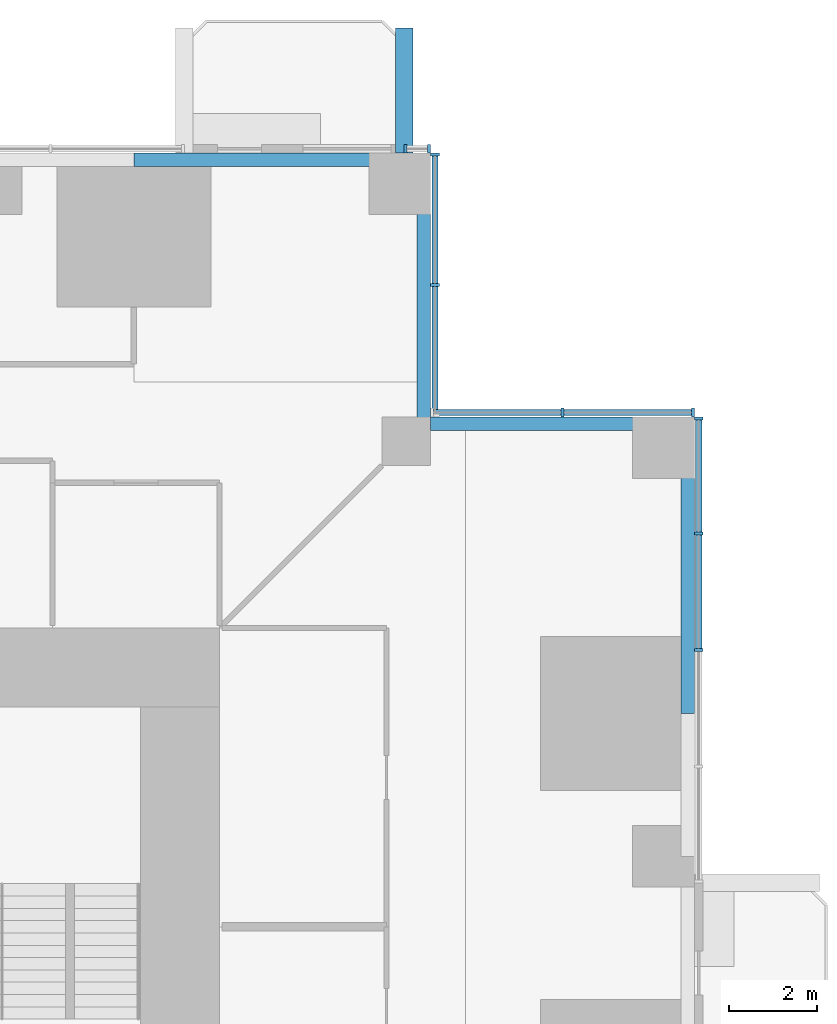
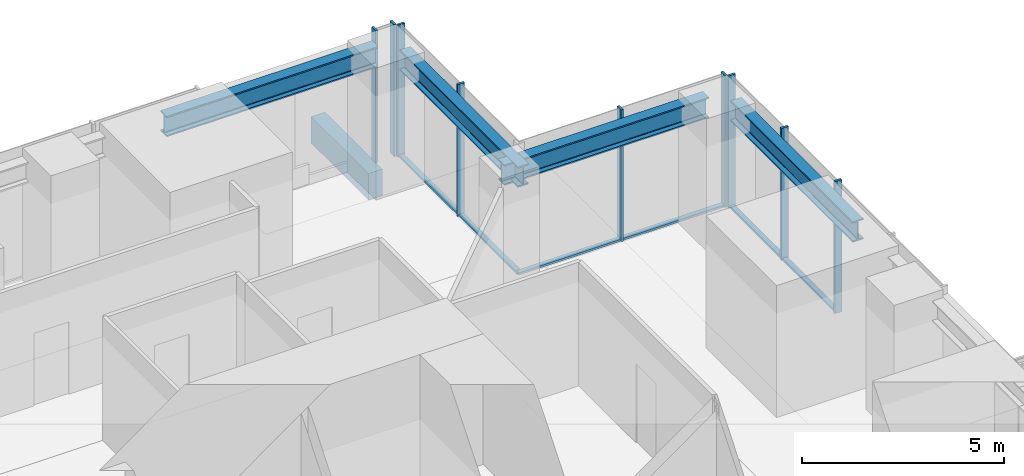
# One storey, part 6 of 17: 15 members, 5 beams, 4 elements without a shape of their own.
"""IFC4 building model written with IfcOpenShell, lengths in metres."""

from ifc_helpers import new_model, si_unit, direction, frame, origin, origin_2d, place, context, subcontext, project, spatial, rectangle, i_section, extrude, material, material_profile, profile_set, type_object, element, aggregate, save


model = new_model("IFC4")

# Units and contexts
model_context = context("Model", 3, precision=1e-05, world=origin(), true_north=direction((0.0, 1.0)))
body_context = subcontext(model_context, "Body", "Model", "MODEL_VIEW")
ifc_project = project(units=[si_unit("LENGTHUNIT", "METRE"), si_unit("AREAUNIT", "SQUARE_METRE"), si_unit("VOLUMEUNIT", "CUBIC_METRE"), si_unit("PLANEANGLEUNIT", "RADIAN"), si_unit("MASSUNIT", "GRAM", prefix="KILO")], contexts=[model_context])

# Site, building, storey
site_placement = place(None, origin())
site = spatial("IfcSite", under=ifc_project, at=site_placement, CompositionType="ELEMENT")
building_placement = place(site_placement, origin())
building = spatial("IfcBuilding", under=site, at=building_placement, Name="Svetlomir Tower", CompositionType="ELEMENT")
storey_placement = place(building_placement, frame((0.0, 0.0, 70.5)))
storey = spatial("IfcBuildingStorey", under=building, at=storey_placement, Name="L16", CompositionType="ELEMENT", Elevation=70.5)

# Beam
ifc_material_1 = material(Name="Concrete C60/75", Category="concrete")
ifc_material_profile_1 = material_profile(ifc_material_1, rectangle(XDim=0.39990234375, YDim=0.800048828125, at=origin_2d()), Name="RC 400x800")
ifc_profile_set_1 = profile_set([ifc_material_profile_1], Name="Concrete C60/75")
beam_type_1 = type_object("IfcBeamType", Name="BALCONY RIB RC 400x800", PredefinedType="BEAM", material=ifc_profile_set_1)
beam_placement = place(storey_placement, frame((35.39990234375, 42.0, -0.64990234375), z_axis=(0.0, 1.0, 0.0), x_axis=(-1.0, 0.0, 0.0)))
element("IfcBeam", 1, at=beam_placement, inside=storey, type_object=beam_type_1, Name="Balcony rib N 2 L16", PredefinedType="BEAM", context=body_context, shape_type="SweptSolid", body=[
    extrude(rectangle(XDim=0.39990234375, YDim=0.800048828125, at=origin_2d()), origin(), (0.0, 0.0, 1.0), 2.85009765625),
])

# Curtain wall, members
ifc_material_2 = material(Name="Bronze anodised aluminium curtain wall", Category="aluminium")
curtain_wall_type = type_object("IfcCurtainWallType", Name="CURTAIN WALL CW1 TOWER OFFICE", PredefinedType="NOTDEFINED", material=ifc_material_2)
curtain_wall_1_placement = place(storey_placement, origin())
curtain_wall_1 = element("IfcCurtainWall", 2, at=curtain_wall_1_placement, inside=storey, type_object=curtain_wall_type, Name="Curtain wall CW1 L16", PredefinedType="NOTDEFINED")
ifc_material_3 = material(Name="Bronze anodised aluminium", Category="aluminium")
ifc_material_profile_2 = material_profile(ifc_material_3, rectangle(XDim=0.06494140625, YDim=0.199951171875, at=origin_2d()), Name="AL 65x200")
ifc_profile_set_2 = profile_set([ifc_material_profile_2], Name="Bronze anodised aluminium 6063-T6")
member_type_1 = type_object("IfcMemberType", Name="CW1 MULLION 65x200", PredefinedType="MULLION", material=ifc_profile_set_2)
member_1_placement = place(storey_placement, frame((42.10009765625, 30.699951171875, 0.0), z_axis=(0.0, 0.0, 1.0), x_axis=(0.0, 1.0, 0.0)))
member_1 = element("IfcMember", 3, at=member_1_placement, type_object=member_type_1, Name="CW1 mullion 3", PredefinedType="MULLION", context=body_context, shape_type="SweptSolid", body=[
    extrude(rectangle(XDim=0.06494140625, YDim=0.199951171875, at=origin_2d()), origin(), (0.0, 0.0, 1.0), 4.0),
])
member_2_placement = place(storey_placement, frame((42.10009765625, 33.35009765625, 0.0), z_axis=(0.0, 0.0, 1.0), x_axis=(0.0, 1.0, 0.0)))
member_2 = element("IfcMember", 4, at=member_2_placement, type_object=member_type_1, Name="CW1 mullion 4", PredefinedType="MULLION", context=body_context, shape_type="SweptSolid", body=[
    extrude(rectangle(XDim=0.06494140625, YDim=0.199951171875, at=origin_2d()), origin(), (0.0, 0.0, 1.0), 4.0),
])
member_3_placement = place(storey_placement, frame((42.10009765625, 35.967529296875, 0.0), z_axis=(0.0, 0.0, 1.0), x_axis=(0.0, 1.0, 0.0)))
member_3 = element("IfcMember", 5, at=member_3_placement, type_object=member_type_1, Name="CW1 mullion 5", PredefinedType="MULLION", context=body_context, shape_type="SweptSolid", body=[
    extrude(rectangle(XDim=0.06494140625, YDim=0.199951171875, at=origin_2d()), origin(), (0.0, 0.0, 1.0), 4.0),
])

curtain_wall_2_placement = place(storey_placement, origin())
curtain_wall_2 = element("IfcCurtainWall", 6, at=curtain_wall_2_placement, inside=storey, type_object=curtain_wall_type, Name="Curtain wall CW1 L16", PredefinedType="NOTDEFINED")
member_4_placement = place(storey_placement, frame((41.967529296875, 36.10009765625, 0.0), z_axis=(0.0, 0.0, 1.0), x_axis=(-1.0, 0.0, 0.0)))
member_4 = element("IfcMember", 7, at=member_4_placement, type_object=member_type_1, Name="CW1 mullion 1", PredefinedType="MULLION", context=body_context, shape_type="SweptSolid", body=[
    extrude(rectangle(XDim=0.06494140625, YDim=0.199951171875, at=origin_2d()), origin(), (0.0, 0.0, 1.0), 4.0),
])
member_5_placement = place(storey_placement, frame((39.0, 36.10009765625, 0.0), z_axis=(0.0, 0.0, 1.0), x_axis=(-1.0, 0.0, 0.0)))
member_5 = element("IfcMember", 8, at=member_5_placement, type_object=member_type_1, Name="CW1 mullion 2", PredefinedType="MULLION", context=body_context, shape_type="SweptSolid", body=[
    extrude(rectangle(XDim=0.06494140625, YDim=0.199951171875, at=origin_2d()), origin(), (0.0, 0.0, 1.0), 4.0),
])

curtain_wall_3_placement = place(storey_placement, origin())
curtain_wall_3 = element("IfcCurtainWall", 9, at=curtain_wall_3_placement, inside=storey, type_object=curtain_wall_type, Name="Curtain wall CW1 L16", PredefinedType="NOTDEFINED")
member_6_placement = place(storey_placement, frame((36.10009765625, 39.0, 0.0), z_axis=(0.0, 0.0, 1.0), x_axis=(0.0, 1.0, 0.0)))
member_6 = element("IfcMember", 10, at=member_6_placement, type_object=member_type_1, Name="CW1 mullion 2", PredefinedType="MULLION", context=body_context, shape_type="SweptSolid", body=[
    extrude(rectangle(XDim=0.06494140625, YDim=0.199951171875, at=origin_2d()), origin(), (0.0, 0.0, 1.0), 4.0),
])
member_7_placement = place(storey_placement, frame((36.10009765625, 41.967529296875, 0.0), z_axis=(0.0, 0.0, 1.0), x_axis=(0.0, 1.0, 0.0)))
member_7 = element("IfcMember", 11, at=member_7_placement, type_object=member_type_1, Name="CW1 mullion 3", PredefinedType="MULLION", context=body_context, shape_type="SweptSolid", body=[
    extrude(rectangle(XDim=0.06494140625, YDim=0.199951171875, at=origin_2d()), origin(), (0.0, 0.0, 1.0), 4.0),
])

curtain_wall_4_placement = place(storey_placement, origin())
curtain_wall_4 = element("IfcCurtainWall", 12, at=curtain_wall_4_placement, inside=storey, type_object=curtain_wall_type, Name="Curtain wall CW1 L16", PredefinedType="NOTDEFINED")
member_8_placement = place(storey_placement, frame((35.967529296875, 42.10009765625, 0.0), z_axis=(0.0, 0.0, 1.0), x_axis=(-1.0, 0.0, 0.0)))
member_8 = element("IfcMember", 13, at=member_8_placement, type_object=member_type_1, Name="CW1 mullion 1", PredefinedType="MULLION", context=body_context, shape_type="SweptSolid", body=[
    extrude(rectangle(XDim=0.06494140625, YDim=0.199951171875, at=origin_2d()), origin(), (0.0, 0.0, 1.0), 4.0),
])
member_9_placement = place(storey_placement, frame((35.4326171875, 42.10009765625, 0.0), z_axis=(0.0, 0.0, 1.0), x_axis=(-1.0, 0.0, 0.0)))
member_9 = element("IfcMember", 14, at=member_9_placement, type_object=member_type_1, Name="CW1 mullion 2", PredefinedType="MULLION", context=body_context, shape_type="SweptSolid", body=[
    extrude(rectangle(XDim=0.06494140625, YDim=0.199951171875, at=origin_2d()), origin(), (0.0, 0.0, 1.0), 4.0),
])
aggregate(curtain_wall_4, [member_8, member_9])

# Member
ifc_material_4 = material(Name="Bronze anodised aluminium", Category="aluminium")
ifc_material_profile_3 = material_profile(ifc_material_4, rectangle(XDim=0.139892578125, YDim=0.06494140625, at=origin_2d()), Name="AL 140x65")
ifc_profile_set_3 = profile_set([ifc_material_profile_3], Name="Bronze anodised aluminium 6063-T6")
member_type_2 = type_object("IfcMemberType", Name="CW1 TRANSOM 65x140", PredefinedType="USERDEFINED", material=ifc_profile_set_3)
member_10_placement = place(storey_placement, frame((42.10009765625, 30.732421875, 0.032470703125), z_axis=(0.0, 1.0, 0.0), x_axis=(-1.0, 0.0, 0.0)))
member_10 = element("IfcMember", 15, at=member_10_placement, type_object=member_type_2, Name="CW1 transom 3.1", ObjectType="TRANSOM", PredefinedType="USERDEFINED", context=body_context, shape_type="SweptSolid", body=[
    extrude(rectangle(XDim=0.139892578125, YDim=0.06494140625, at=origin_2d()), origin(), (0.0, 0.0, 1.0), 2.5849609375),
])

member_11_placement = place(storey_placement, frame((42.10009765625, 33.382568359375, 0.032470703125), z_axis=(0.0, 1.0, 0.0), x_axis=(-1.0, 0.0, 0.0)))
member_11 = element("IfcMember", 16, at=member_11_placement, type_object=member_type_2, Name="CW1 transom 4.1", ObjectType="TRANSOM", PredefinedType="USERDEFINED", context=body_context, shape_type="SweptSolid", body=[
    extrude(rectangle(XDim=0.139892578125, YDim=0.06494140625, at=origin_2d()), origin(), (0.0, 0.0, 1.0), 2.552490234375),
])

aggregate(curtain_wall_1, [member_1, member_2, member_3, member_10, member_11])

member_12_placement = place(storey_placement, frame((41.93505859375, 36.10009765625, 0.032470703125), z_axis=(-1.0, 0.0, 0.0), x_axis=(0.0, -1.0, 0.0)))
member_12 = element("IfcMember", 17, at=member_12_placement, type_object=member_type_2, Name="CW1 transom 1.1", ObjectType="TRANSOM", PredefinedType="USERDEFINED", context=body_context, shape_type="SweptSolid", body=[
    extrude(rectangle(XDim=0.139892578125, YDim=0.06494140625, at=origin_2d()), origin(), (0.0, 0.0, 1.0), 2.902587890625),
])

member_13_placement = place(storey_placement, frame((38.967529296875, 36.10009765625, 0.032470703125), z_axis=(-1.0, 0.0, 0.0), x_axis=(0.0, -1.0, 0.0)))
member_13 = element("IfcMember", 18, at=member_13_placement, type_object=member_type_2, Name="CW1 transom 2.1", ObjectType="TRANSOM", PredefinedType="USERDEFINED", context=body_context, shape_type="SweptSolid", body=[
    extrude(rectangle(XDim=0.139892578125, YDim=0.06494140625, at=origin_2d()), origin(), (0.0, 0.0, 1.0), 2.902587890625),
])

aggregate(curtain_wall_2, [member_4, member_5, member_12, member_13])

member_14_placement = place(storey_placement, frame((36.10009765625, 36.06494140625, 0.032470703125), z_axis=(0.0, 1.0, 0.0), x_axis=(-1.0, 0.0, 0.0)))
member_14 = element("IfcMember", 19, at=member_14_placement, type_object=member_type_2, Name="CW1 transom 1.1", ObjectType="TRANSOM", PredefinedType="USERDEFINED", context=body_context, shape_type="SweptSolid", body=[
    extrude(rectangle(XDim=0.139892578125, YDim=0.06494140625, at=origin_2d()), origin(), (0.0, 0.0, 1.0), 2.902587890625),
])

member_15_placement = place(storey_placement, frame((36.10009765625, 39.032470703125, 0.032470703125), z_axis=(0.0, 1.0, 0.0), x_axis=(-1.0, 0.0, 0.0)))
member_15 = element("IfcMember", 20, at=member_15_placement, type_object=member_type_2, Name="CW1 transom 2.1", ObjectType="TRANSOM", PredefinedType="USERDEFINED", context=body_context, shape_type="SweptSolid", body=[
    extrude(rectangle(XDim=0.139892578125, YDim=0.06494140625, at=origin_2d()), origin(), (0.0, 0.0, 1.0), 2.902587890625),
])

aggregate(curtain_wall_3, [member_6, member_7, member_14, member_15])

# Beams
ifc_material_5 = material(Name="Steel S355", Category="steel")
ifc_material_profile_4 = material_profile(ifc_material_5, i_section(OverallWidth=0.304931640625, OverallDepth=0.6201171875, WebThickness=0.02099609375, FlangeThickness=0.0400390625, FilletRadius=0.027099609375, at=origin_2d()), Name="HEM 600")
ifc_profile_set_4 = profile_set([ifc_material_profile_4], Name="Steel S355")
beam_type_2 = type_object("IfcBeamType", Name="EDGE BEAM HEM 600", PredefinedType="SPANDREL", material=ifc_profile_set_4)
for number, where, z_axis, x_axis, name in (
    (21, (41.847412109375, 29.25, 3.43994140625), (0.0, 1.0, 0.0), (-1.0, 0.0, 0.0), "Edge beam 42/31 to 42/36 under L17"),
    (22, (29.25, 41.847412109375, 3.43994140625), (1.0, 0.0, 0.0), (0.0, 1.0, 0.0), "Edge beam 31/42 to 36/42 under L17"),
):
    element("IfcBeam", number, at=place(storey_placement, frame(where, z_axis=z_axis, x_axis=x_axis)), inside=storey, type_object=beam_type_2, Name=name, PredefinedType="SPANDREL", context=body_context, shape_type="SweptSolid", body=[
        extrude(i_section(OverallWidth=0.304931640625, OverallDepth=0.6201171875, WebThickness=0.02099609375, FlangeThickness=0.0400390625, FilletRadius=0.027099609375, at=origin_2d()), origin(), (0.0, 0.0, 1.0), 6.050048828125),
    ])
for number, where, z_axis, x_axis, name in (
    (23, (35.847412109375, 41.300048828125, 3.43994140625), (0.0, -1.0, 0.0), (1.0, 0.0, 0.0), "Edge beam 36/42 to 36/36 under L17"),
    (24, (41.300048828125, 35.847412109375, 3.43994140625), (-1.0, 0.0, 0.0), (0.0, -1.0, 0.0), "Edge beam 42/36 to 36/36 under L17"),
):
    element("IfcBeam", number, at=place(storey_placement, frame(where, z_axis=z_axis, x_axis=x_axis)), inside=storey, type_object=beam_type_2, Name=name, PredefinedType="SPANDREL", context=body_context, shape_type="SweptSolid", body=[
        extrude(i_section(OverallWidth=0.304931640625, OverallDepth=0.6201171875, WebThickness=0.02099609375, FlangeThickness=0.0400390625, FilletRadius=0.027099609375, at=origin_2d()), origin(), (0.0, 0.0, 1.0), 5.85009765625),
    ])

save(model, "model.ifc")
